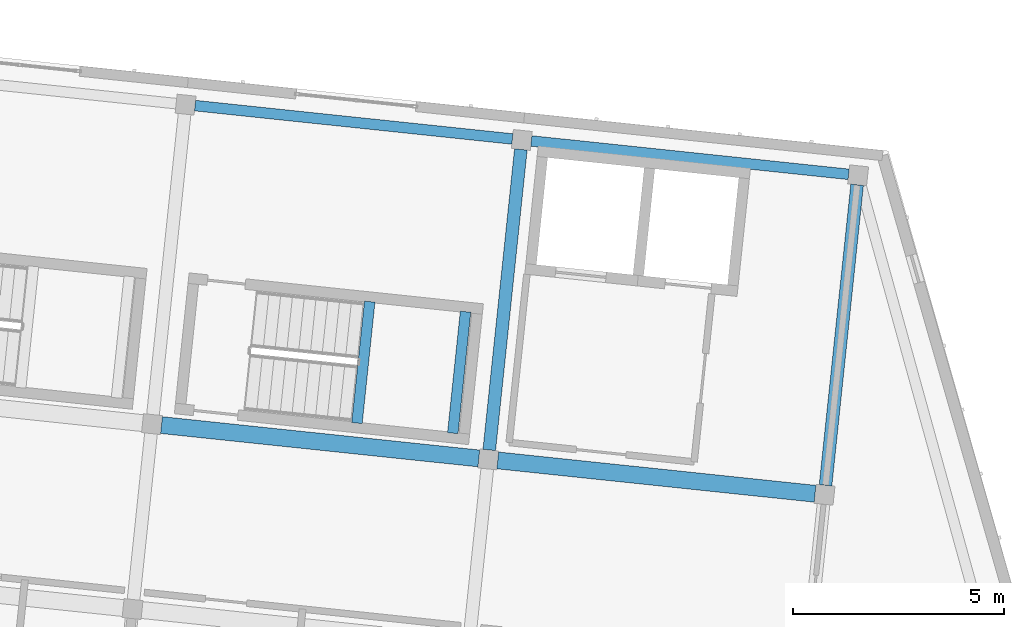
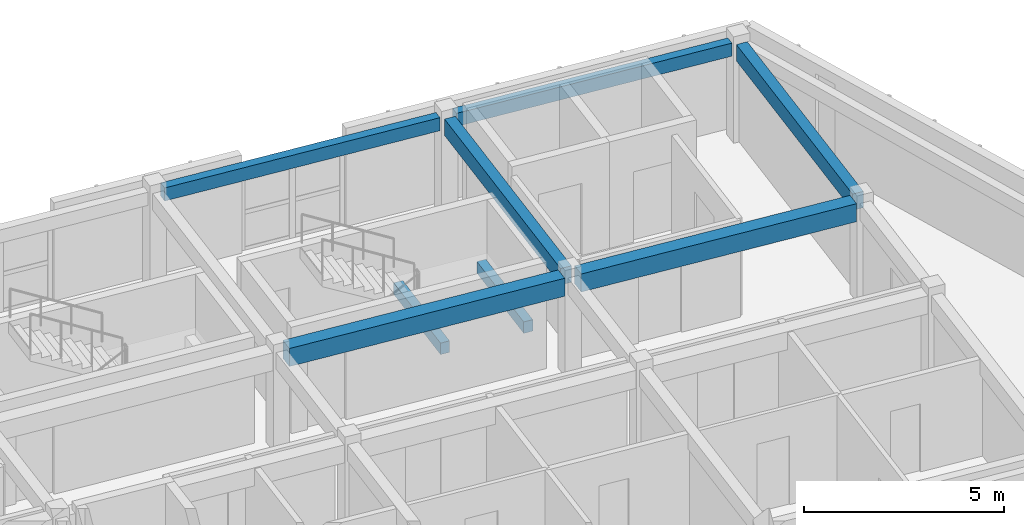
# One storey, part 15 of 56: 8 beams.
"""IFC4 building model written with IfcOpenShell, lengths in metres."""

from ifc_helpers import new_model, si_unit, direction, frame, origin, origin_2d, place, context, subcontext, project, spatial, rectangle, extrude, material, material_profile, profile_set, type_object, element, save


model = new_model("IFC4")

# Units and contexts
model_context = context("Model", 3, precision=1e-05, world=origin(), true_north=direction((0.0, 1.0)))
body_context = subcontext(model_context, "Body", "Model", "MODEL_VIEW")
ifc_project = project(units=[si_unit("LENGTHUNIT", "METRE"), si_unit("AREAUNIT", "SQUARE_METRE"), si_unit("VOLUMEUNIT", "CUBIC_METRE"), si_unit("PLANEANGLEUNIT", "RADIAN"), si_unit("MASSUNIT", "GRAM", prefix="KILO")], contexts=[model_context])

# Site, building, storey
site_placement = place(None, origin())
site = spatial("IfcSite", under=ifc_project, at=site_placement, CompositionType="ELEMENT")
building_placement = place(site_placement, origin())
building = spatial("IfcBuilding", under=site, at=building_placement, Name="Kestramere Prow Commons", CompositionType="ELEMENT")
storey_placement = place(building_placement, frame((0.0, 0.0, 27.89990234375)))
storey = spatial("IfcBuildingStorey", under=building, at=storey_placement, Name="L08", CompositionType="ELEMENT", Elevation=27.89990234375)

# Beams
ifc_material_1 = material(Name="Precast concrete C40/50", Category="concrete")
ifc_material_profile_1 = material_profile(ifc_material_1, rectangle(XDim=0.39990234375, YDim=0.550048828125, at=origin_2d()), Name="PC-BM 400x550")
ifc_profile_set_1 = profile_set([ifc_material_profile_1], Name="Precast concrete C40/50")
beam_type_1 = type_object("IfcBeamType", Name="BM-B1 PC-BM 400x550", PredefinedType="BEAM", material=ifc_profile_set_1)
beam_1_placement = place(storey_placement, frame((143.302734375, 103.36572265625, 2.72509765625), z_axis=(0.994523864565, -0.104509725916, 0.0), x_axis=(0.104509725916, 0.994523864565, 0.0)))
element("IfcBeam", 1, at=beam_1_placement, inside=storey, type_object=beam_type_1, Name="Block B L08 Longitudinal Beam 3-5", PredefinedType="BEAM", context=body_context, shape_type="SweptSolid", body=[
    extrude(rectangle(XDim=0.39990234375, YDim=0.550048828125, at=origin_2d()), origin(), (0.0, 0.0, 1.0), 7.550048828125),
])
beam_2_placement = place(storey_placement, frame((151.259033203125, 102.529541015625, 2.72509765625), z_axis=(0.994523511366, -0.104513086937, 0.0), x_axis=(0.104513086937, 0.994523511366, 0.0)))
element("IfcBeam", 2, at=beam_2_placement, inside=storey, type_object=beam_type_1, Name="Block B L08 Longitudinal Beam 3-6", PredefinedType="BEAM", context=body_context, shape_type="SweptSolid", body=[
    extrude(rectangle(XDim=0.39990234375, YDim=0.550048828125, at=origin_2d()), origin(), (0.0, 0.0, 1.0), 7.5498046875),
])
ifc_material_2 = material(Name="Concrete C40/50", Category="concrete")
ifc_material_profile_2 = material_profile(ifc_material_2, rectangle(XDim=0.25, YDim=0.35009765625, at=origin_2d()), Name="PC-BM 250x350")
ifc_profile_set_2 = profile_set([ifc_material_profile_2], Name="Concrete C40/50")
beam_type_2 = type_object("IfcBeamType", Name="BM-ST-TRIM", PredefinedType="BEAM", material=ifc_profile_set_2)
for number, where, z_axis, x_axis, name in (
    (3, (147.927978515625, 103.41259765625, 1.25), (0.104579248847, 0.994516556278, 0.0), (-0.994516556278, 0.104579248847, 0.0), "ST-B2 L08 Landing Trimmer Beam 1A"),
    (4, (150.195556640625, 103.17431640625, 1.25), (0.104495697268, 0.994525338668, 0.0), (-0.994525338668, 0.104495697268, 0.0), "ST-B2 L08 Landing Trimmer Beam 1B"),
):
    element("IfcBeam", number, at=place(storey_placement, frame(where, z_axis=z_axis, x_axis=x_axis)), inside=storey, type_object=beam_type_2, Name=name, PredefinedType="BEAM", context=body_context, shape_type="SweptSolid", body=[
        extrude(rectangle(XDim=0.25, YDim=0.35009765625, at=origin_2d()), origin(), (0.0, 0.0, 1.0), 2.89013671875),
    ])
ifc_material_profile_3 = material_profile(ifc_material_1, rectangle(XDim=0.300048828125, YDim=0.5, at=origin_2d()), Name="PC-BM 300x500")
ifc_profile_set_3 = profile_set([ifc_material_profile_3], Name="Precast concrete C40/50")
beam_type_3 = type_object("IfcBeamType", Name="BM-TIE-01 PC-BM 300x500", PredefinedType="BEAM", material=ifc_profile_set_3)
for number, where, z_axis, x_axis, name in (
    (5, (151.058837890625, 102.77685546875, 2.75), (0.104519481265, 0.994522839374, 0.0), (-0.994522839374, 0.104519481265, 0.0), "Block B L08 Transverse Beam 6-3"),
    (6, (159.014892578125, 101.940673828125, 2.75), (0.104519481265, 0.994522839374, 0.0), (-0.994522839374, 0.104519481265, 0.0), "Block B L08 Transverse Beam 7-3"),
):
    element("IfcBeam", number, at=place(storey_placement, frame(where, z_axis=z_axis, x_axis=x_axis)), inside=storey, type_object=beam_type_3, Name=name, PredefinedType="BEAM", context=body_context, shape_type="SweptSolid", body=[
        extrude(rectangle(XDim=0.300048828125, YDim=0.5, at=origin_2d()), origin(), (0.0, 0.0, 1.0), 7.14990234375),
    ])
ifc_material_profile_4 = material_profile(ifc_material_1, rectangle(XDim=0.25, YDim=0.39990234375, at=origin_2d()), Name="PC-SP 250x400")
ifc_profile_set_4 = profile_set([ifc_material_profile_4], Name="Precast concrete C40/50")
beam_type_4 = type_object("IfcBeamType", Name="SP-EXT-01 PC-SP 250x400", PredefinedType="SPANDREL", material=ifc_profile_set_4)
beam_3_placement = place(storey_placement, frame((144.09716796875, 110.92431640625, 2.800048828125), z_axis=(0.994520503149, -0.104541708502, 0.0), x_axis=(0.104541708502, 0.994520503149, 0.0)))
element("IfcBeam", 7, at=beam_3_placement, inside=storey, type_object=beam_type_4, Name="Block B L08 Longitudinal Beam 4-5", PredefinedType="SPANDREL", context=body_context, shape_type="SweptSolid", body=[
    extrude(rectangle(XDim=0.25, YDim=0.39990234375, at=origin_2d()), origin(), (0.0, 0.0, 1.0), 7.550048828125),
])
beam_4_placement = place(storey_placement, frame((152.053466796875, 110.087890625, 2.800048828125), z_axis=(0.994523511366, -0.104513086937, 0.0), x_axis=(0.104513086937, 0.994523511366, 0.0)))
element("IfcBeam", 8, at=beam_4_placement, inside=storey, type_object=beam_type_4, Name="Block B L08 Longitudinal Beam 4-6", PredefinedType="SPANDREL", context=body_context, shape_type="SweptSolid", body=[
    extrude(rectangle(XDim=0.25, YDim=0.39990234375, at=origin_2d()), origin(), (0.0, 0.0, 1.0), 7.5498046875),
])

save(model, "model.ifc")
